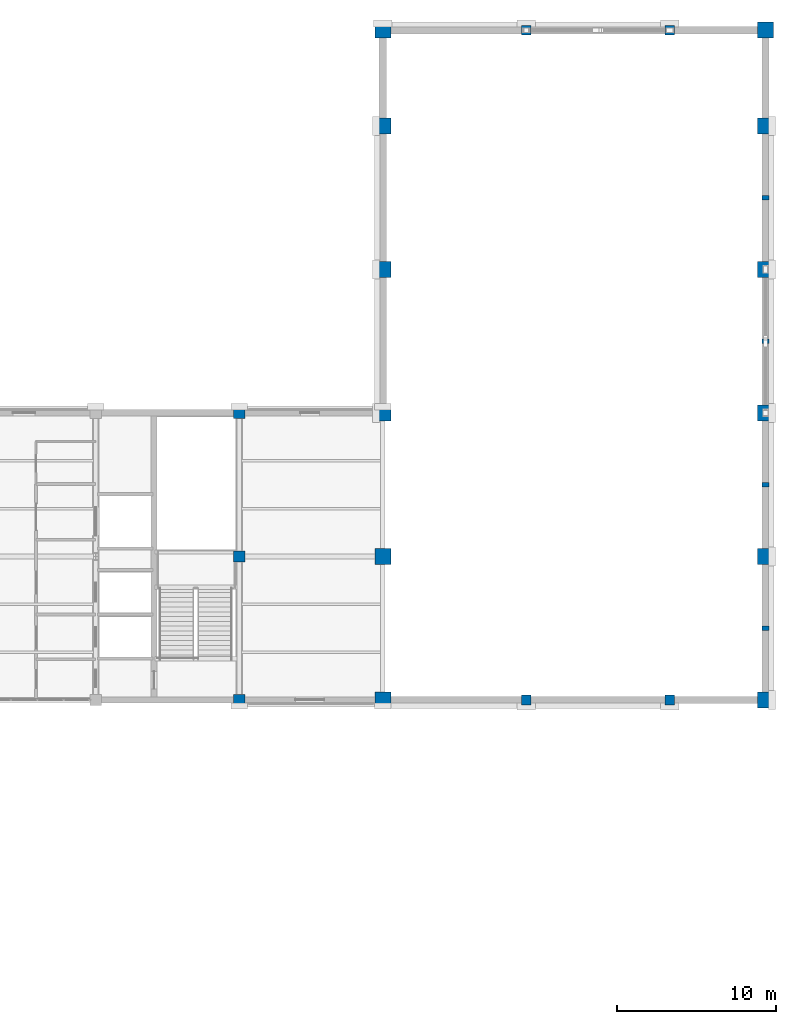
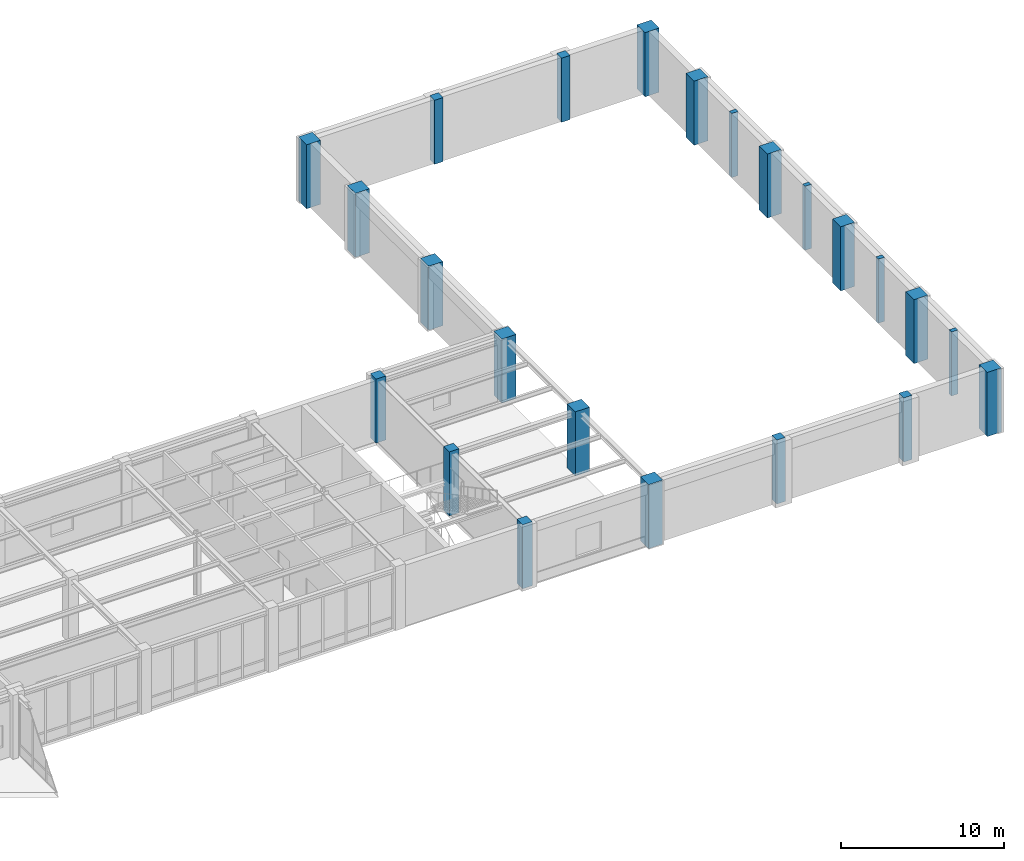
# One storey, part 14 of 92: 23 columns.
"""IFC4 building model written with IfcOpenShell, lengths in metres."""

from ifc_helpers import new_model, si_unit, direction, frame, origin, origin_2d, place, context, subcontext, project, spatial, rectangle, extrude, material, material_profile, profile_set, type_object, element, save


model = new_model("IFC4")

# Units and contexts
model_context = context("Model", 3, precision=1e-05, world=origin(), true_north=direction((0.0, 1.0)))
body_context = subcontext(model_context, "Body", "Model", "MODEL_VIEW")
ifc_project = project(units=[si_unit("LENGTHUNIT", "METRE"), si_unit("AREAUNIT", "SQUARE_METRE"), si_unit("VOLUMEUNIT", "CUBIC_METRE"), si_unit("PLANEANGLEUNIT", "RADIAN"), si_unit("MASSUNIT", "GRAM", prefix="KILO")], contexts=[model_context])

# Site, building, storey
site_placement = place(None, origin())
site = spatial("IfcSite", under=ifc_project, at=site_placement, CompositionType="ELEMENT")
building_placement = place(site_placement, origin())
building = spatial("IfcBuilding", under=site, at=building_placement, Name="Lykobir Media Centre", CompositionType="ELEMENT")
storey_placement = place(building_placement, frame((0.0, 0.0, 5.39990234375)))
storey = spatial("IfcBuildingStorey", under=building, at=storey_placement, Name="L01", CompositionType="ELEMENT", Elevation=5.39990234375)

# Columns
ifc_material_1 = material(Name="Honed Travertine Stone", Category="masonry")
ifc_material_profile_1 = material_profile(ifc_material_1, rectangle(XDim=0.300048828125, YDim=0.449951171875, at=origin_2d()), Name="RC PILASTER 450x300")
ifc_profile_set_1 = profile_set([ifc_material_profile_1], Name="Honed Travertine Stone")
column_type_1 = type_object("IfcColumnType", Name="PIL-450", PredefinedType="PILASTER", material=ifc_profile_set_1)
for number, where, z_axis, x_axis, name in (
    (1, (168.0, 76.5, 0.0), (0.0, 0.0, 1.0), (0.0, 1.0, 0.0), "V2 east pilaster L01 76.5"),
    (2, (168.0, 85.5, 0.0), (0.0, 0.0, 1.0), (0.0, 1.0, 0.0), "V2 east pilaster L01 85.5"),
    (3, (168.0, 94.5, 0.0), (0.0, 0.0, 1.0), (0.0, 1.0, 0.0), "V2 east pilaster L01 94.5"),
    (4, (168.0, 103.5, 0.0), (0.0, 0.0, 1.0), (0.0, 1.0, 0.0), "V2 east pilaster L01 103.5"),
):
    element("IfcColumn", number, at=place(storey_placement, frame(where, z_axis=z_axis, x_axis=x_axis)), inside=storey, type_object=column_type_1, Name=name, PredefinedType="PILASTER", context=body_context, shape_type="SweptSolid", body=[
        extrude(rectangle(XDim=0.300048828125, YDim=0.449951171875, at=origin_2d()), origin(), (0.0, 0.0, 1.0), 4.800048828125),
    ])
ifc_material_2 = material(Name="Concrete C40/50", Category="concrete")
ifc_material_profile_2 = material_profile(ifc_material_2, rectangle(XDim=1.0, YDim=1.0, at=origin_2d()), Name="RC 1000x1000")
ifc_profile_set_2 = profile_set([ifc_material_profile_2], Name="Concrete C40/50")
column_type_2 = type_object("IfcColumnType", Name="RC-C1000", PredefinedType="COLUMN", material=ifc_profile_set_2)
for number, where, z_axis, x_axis, name in (
    (5, (144.0, 72.0, 0.0), (0.0, 0.0, 1.0), (1.0, 0.0, 0.0), "Column COL-L01-1440-0720"),
    (6, (144.0, 81.0, 0.0), (0.0, 0.0, 1.0), (1.0, 0.0, 0.0), "Column COL-L01-1440-0810"),
    (7, (144.0, 90.0, 0.0), (0.0, 0.0, 1.0), (1.0, 0.0, 0.0), "Column COL-L01-1440-0900"),
    (8, (144.0, 99.0, 0.0), (0.0, 0.0, 1.0), (1.0, 0.0, 0.0), "Column COL-L01-1440-0990"),
    (9, (144.0, 108.0, 0.0), (0.0, 0.0, 1.0), (1.0, 0.0, 0.0), "Column COL-L01-1440-1080"),
):
    element("IfcColumn", number, at=place(storey_placement, frame(where, z_axis=z_axis, x_axis=x_axis)), inside=storey, type_object=column_type_2, Name=name, PredefinedType="COLUMN", context=body_context, shape_type="SweptSolid", body=[
        extrude(rectangle(XDim=1.0, YDim=1.0, at=origin_2d()), origin(), (0.0, 0.0, 1.0), 4.800048828125),
    ])
ifc_material_profile_3 = material_profile(ifc_material_2, rectangle(XDim=1.0, YDim=1.0, at=origin_2d()), Name="RC 1000x1000")
ifc_profile_set_3 = profile_set([ifc_material_profile_3], Name="Concrete C40/50")
column_type_3 = type_object("IfcColumnType", Name="RC-C1000-E", PredefinedType="COLUMN", material=ifc_profile_set_3)
for number, where, z_axis, x_axis, name in (
    (10, (144.0, 114.0, 0.0), (0.0, 0.0, 1.0), (1.0, 0.0, 0.0), "Column COL-L01-1440-1140"),
    (11, (168.0, 72.0, 0.0), (0.0, 0.0, 1.0), (1.0, 0.0, 0.0), "Column COL-L01-1680-0720"),
    (12, (168.0, 81.0, 0.0), (0.0, 0.0, 1.0), (1.0, 0.0, 0.0), "Column COL-L01-1680-0810"),
    (13, (168.0, 90.0, 0.0), (0.0, 0.0, 1.0), (1.0, 0.0, 0.0), "Column COL-L01-1680-0900"),
    (14, (168.0, 99.0, 0.0), (0.0, 0.0, 1.0), (1.0, 0.0, 0.0), "Column COL-L01-1680-0990"),
    (15, (168.0, 108.0, 0.0), (0.0, 0.0, 1.0), (1.0, 0.0, 0.0), "Column COL-L01-1680-1080"),
    (16, (168.0, 114.0, 0.0), (0.0, 0.0, 1.0), (1.0, 0.0, 0.0), "Column COL-L01-1680-1140"),
):
    element("IfcColumn", number, at=place(storey_placement, frame(where, z_axis=z_axis, x_axis=x_axis)), inside=storey, type_object=column_type_3, Name=name, PredefinedType="COLUMN", context=body_context, shape_type="SweptSolid", body=[
        extrude(rectangle(XDim=1.0, YDim=1.0, at=origin_2d()), origin(), (0.0, 0.0, 1.0), 4.800048828125),
    ])
ifc_material_profile_4 = material_profile(ifc_material_2, rectangle(XDim=0.60009765625, YDim=0.60009765625, at=origin_2d()), Name="RC 600x600")
ifc_profile_set_4 = profile_set([ifc_material_profile_4], Name="Concrete C40/50")
column_type_4 = type_object("IfcColumnType", Name="RC-C600", PredefinedType="COLUMN", material=ifc_profile_set_4)
for number, where, z_axis, x_axis, name in (
    (17, (153.0, 72.0, 0.0), (0.0, 0.0, 1.0), (1.0, 0.0, 0.0), "Column COL-L01-1530-0720"),
    (18, (162.0, 72.0, 0.0), (0.0, 0.0, 1.0), (1.0, 0.0, 0.0), "Column COL-L01-1620-0720"),
):
    element("IfcColumn", number, at=place(storey_placement, frame(where, z_axis=z_axis, x_axis=x_axis)), inside=storey, type_object=column_type_4, Name=name, PredefinedType="COLUMN", context=body_context, shape_type="SweptSolid", body=[
        extrude(rectangle(XDim=0.60009765625, YDim=0.60009765625, at=origin_2d()), origin(), (0.0, 0.0, 1.0), 4.800048828125),
    ])
ifc_material_profile_5 = material_profile(ifc_material_2, rectangle(XDim=0.60009765625, YDim=0.60009765625, at=origin_2d()), Name="RC 600x600")
ifc_profile_set_5 = profile_set([ifc_material_profile_5], Name="Concrete C40/50")
column_type_5 = type_object("IfcColumnType", Name="RC-C600-E", PredefinedType="COLUMN", material=ifc_profile_set_5)
for number, where, z_axis, x_axis, name in (
    (19, (153.0, 114.0, 0.0), (0.0, 0.0, 1.0), (1.0, 0.0, 0.0), "Column COL-L01-1530-1140"),
    (20, (162.0, 114.0, 0.0), (0.0, 0.0, 1.0), (1.0, 0.0, 0.0), "Column COL-L01-1620-1140"),
):
    element("IfcColumn", number, at=place(storey_placement, frame(where, z_axis=z_axis, x_axis=x_axis)), inside=storey, type_object=column_type_5, Name=name, PredefinedType="COLUMN", context=body_context, shape_type="SweptSolid", body=[
        extrude(rectangle(XDim=0.60009765625, YDim=0.60009765625, at=origin_2d()), origin(), (0.0, 0.0, 1.0), 4.800048828125),
    ])
ifc_material_profile_6 = material_profile(ifc_material_2, rectangle(XDim=0.699951171875, YDim=0.699951171875, at=origin_2d()), Name="RC 700x700")
ifc_profile_set_6 = profile_set([ifc_material_profile_6], Name="Concrete C40/50")
column_type_6 = type_object("IfcColumnType", Name="RC-C700", PredefinedType="COLUMN", material=ifc_profile_set_6)
for number, where, z_axis, x_axis, name in (
    (21, (135.0, 72.0, 0.0), (0.0, 0.0, 1.0), (1.0, 0.0, 0.0), "Column COL-L01-1350-0720"),
    (22, (135.0, 81.0, 0.0), (0.0, 0.0, 1.0), (1.0, 0.0, 0.0), "Column COL-L01-1350-0810"),
    (23, (135.0, 90.0, 0.0), (0.0, 0.0, 1.0), (1.0, 0.0, 0.0), "Column COL-L01-1350-0900"),
):
    element("IfcColumn", number, at=place(storey_placement, frame(where, z_axis=z_axis, x_axis=x_axis)), inside=storey, type_object=column_type_6, Name=name, PredefinedType="COLUMN", context=body_context, shape_type="SweptSolid", body=[
        extrude(rectangle(XDim=0.699951171875, YDim=0.699951171875, at=origin_2d()), origin(), (0.0, 0.0, 1.0), 4.800048828125),
    ])

save(model, "model.ifc")
